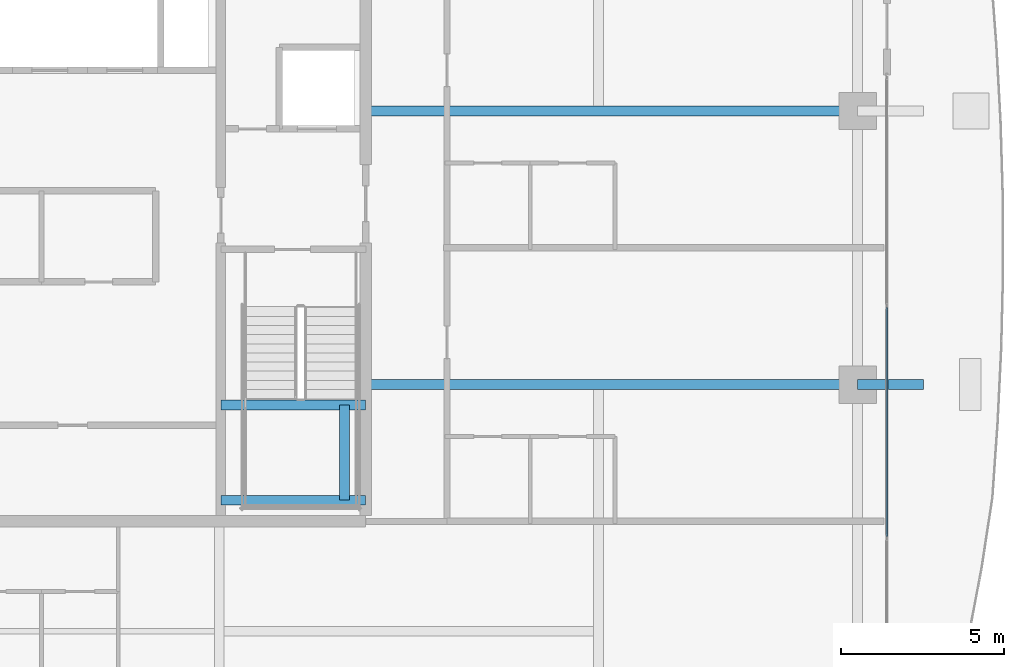
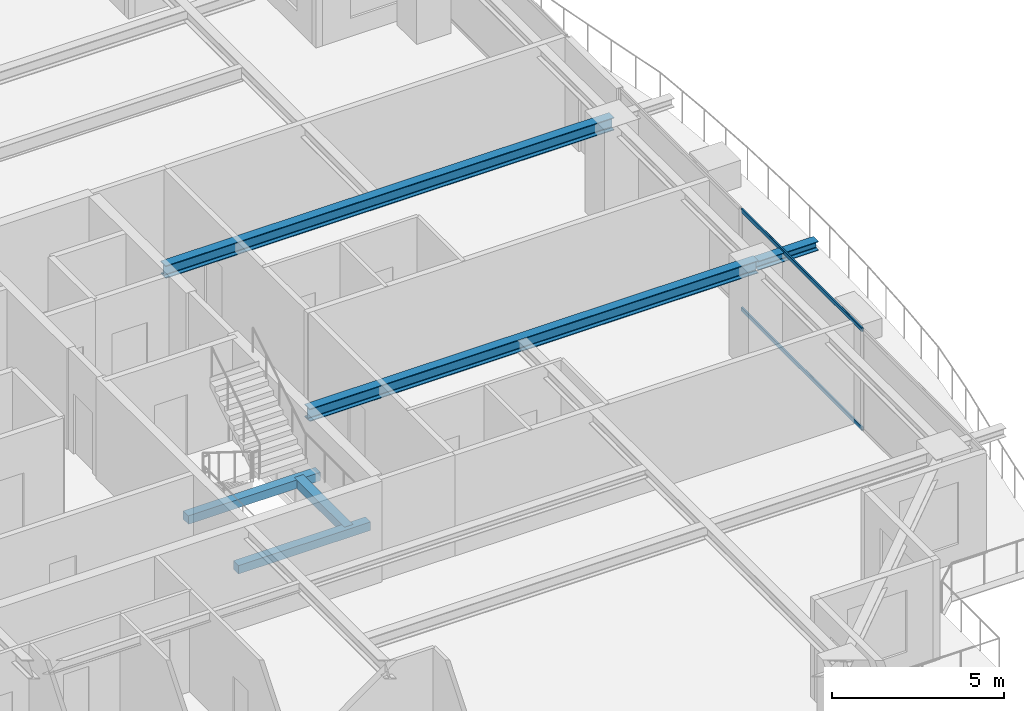
# One storey, part 14 of 38: 6 beams, 2 members, 1 element without a shape of its own.
"""IFC4 building model written with IfcOpenShell, lengths in metres."""

from ifc_helpers import new_model, si_unit, direction, frame, origin, origin_2d, place, context, subcontext, project, spatial, rectangle, hollow_rectangle, i_section, extrude, source, transform, mapped, material, layer, layer_set, material_profile, profile_set, type_object, element, aggregate, save


model = new_model("IFC4")

# Units and contexts
model_context = context("Model", 3, precision=1e-05, world=origin(), true_north=direction((0.0, 1.0)))
body_context = subcontext(model_context, "Body", "Model", "MODEL_VIEW")
ifc_project = project(units=[si_unit("LENGTHUNIT", "METRE"), si_unit("AREAUNIT", "SQUARE_METRE"), si_unit("VOLUMEUNIT", "CUBIC_METRE"), si_unit("PLANEANGLEUNIT", "RADIAN"), si_unit("MASSUNIT", "GRAM", prefix="KILO")], contexts=[model_context])

# Site, building, storey
site_placement = place(None, origin())
site = spatial("IfcSite", under=ifc_project, at=site_placement, CompositionType="ELEMENT")
building_placement = place(site_placement, origin())
building = spatial("IfcBuilding", under=site, at=building_placement, Name="Serunith Strait Residences", CompositionType="ELEMENT")
storey_placement = place(building_placement, frame((0.0, 0.0, 264.35009765625)))
storey = spatial("IfcBuildingStorey", under=building, at=storey_placement, Name="L66", CompositionType="ELEMENT", Elevation=264.35009765625)

# Beams
ifc_material_1 = material(Name="Steel S355J2", Category="steel")
ifc_material_profile_1 = material_profile(ifc_material_1, i_section(OverallWidth=0.300048828125, OverallDepth=0.449951171875, WebThickness=0.013916015625, FlangeThickness=0.02587890625, FilletRadius=0.027099609375, at=origin_2d()), Name="HEB 450")
ifc_profile_set_1 = profile_set([ifc_material_profile_1], Name="Steel S355J2")
beam_type_1 = type_object("IfcBeamType", Name="BM-HEB450", PredefinedType="BEAM", material=ifc_profile_set_1)
shared_shape_1 = source(origin(), body_context, "Body", "SweptSolid", [
    extrude(i_section(OverallWidth=0.300048828125, OverallDepth=0.449951171875, WebThickness=0.013916015625, FlangeThickness=0.02587890625, FilletRadius=0.027099609375, at=origin_2d()), origin(), (0.0, 0.0, 1.0), 15.10009765625),
])
for number, where, z_axis, x_axis, name in (
    (1, (41.39990234375, 21.0, 3.36181640625), (1.0, 0.0, 0.0), (0.0, 1.0, 0.0), "L66 Primary Floor Girder TC-E2"),
    (2, (41.39990234375, 29.39990234375, 3.36181640625), (1.0, 0.0, 0.0), (0.0, 1.0, 0.0), "L66 Primary Floor Girder TC-E3"),
):
    element("IfcBeam", number, at=place(storey_placement, frame(where, z_axis=z_axis, x_axis=x_axis)), inside=storey, type_object=beam_type_1, Name=name, PredefinedType="BEAM", context=body_context, shape_type="MappedRepresentation", body=[
        mapped(shared_shape_1, transform((0.0, 0.0, 0.0), scale=1.0)),
    ])
ifc_material_profile_2 = material_profile(ifc_material_1, i_section(OverallWidth=0.300048828125, OverallDepth=0.320068359375, WebThickness=0.011474609375, FlangeThickness=0.0205078125, FilletRadius=0.027099609375, at=origin_2d()), Name="HEB 320")
ifc_profile_set_2 = profile_set([ifc_material_profile_2], Name="Steel S355J2")
beam_type_2 = type_object("IfcBeamType", Name="BM-HEB320", PredefinedType="BEAM", material=ifc_profile_set_2)
shared_shape_2 = source(origin(), body_context, "Body", "SweptSolid", [
    extrude(i_section(OverallWidth=0.300048828125, OverallDepth=0.320068359375, WebThickness=0.011474609375, FlangeThickness=0.0205078125, FilletRadius=0.027099609375, at=origin_2d()), origin(), (0.0, 0.0, 1.0), 2.030029296875),
])
beam_1_placement = place(storey_placement, frame((56.5, 21.0, 3.39697265625), z_axis=(1.0, 0.0, 0.0), x_axis=(0.0, 1.0, 0.0)))
element("IfcBeam", 3, at=beam_1_placement, inside=storey, type_object=beam_type_2, Name="L67 Cantilevered Balcony Rib TC-E2", PredefinedType="BEAM", context=body_context, shape_type="MappedRepresentation", body=[
    mapped(shared_shape_2, transform((0.0, 0.0, 0.0), scale=1.0)),
])
ifc_material_2 = material(Name="Concrete C60/75", Category="concrete")
ifc_material_profile_3 = material_profile(ifc_material_2, rectangle(XDim=0.300048828125, YDim=0.300048828125, at=origin_2d()), Name="RC 300x300")
ifc_profile_set_3 = profile_set([ifc_material_profile_3], Name="Concrete C60/75")
beam_type_3 = type_object("IfcBeamType", Name="BM-LAND-300x300", PredefinedType="BEAM", material=ifc_profile_set_3)
shared_shape_3 = source(origin(), body_context, "Body", "SweptSolid", [
    extrude(rectangle(XDim=0.300048828125, YDim=0.300048828125, at=origin_2d()), origin(), (0.0, 0.0, 1.0), 4.449951171875),
])
for number, where, z_axis, x_axis, name in (
    (4, (36.949951171875, 17.449951171875, 1.574951171875), (1.0, 0.0, 0.0), (0.0, 1.0, 0.0), "L66 ST-2 Landing Support Beam 1"),
    (5, (36.949951171875, 20.3701171875, 1.574951171875), (1.0, 0.0, 0.0), (0.0, 1.0, 0.0), "L66 ST-2 Landing Support Beam 2"),
):
    element("IfcBeam", number, at=place(storey_placement, frame(where, z_axis=z_axis, x_axis=x_axis)), inside=storey, type_object=beam_type_3, Name=name, PredefinedType="BEAM", context=body_context, shape_type="MappedRepresentation", body=[
        mapped(shared_shape_3, transform((0.0, 0.0, 0.0), scale=1.0)),
    ])
shared_shape_4 = source(origin(), body_context, "Body", "SweptSolid", [
    extrude(rectangle(XDim=0.300048828125, YDim=0.300048828125, at=origin_2d()), origin(), (0.0, 0.0, 1.0), 2.920166015625),
])
beam_2_placement = place(storey_placement, frame((40.75, 17.449951171875, 1.574951171875), z_axis=(0.0, 1.0, 0.0), x_axis=(-1.0, 0.0, 0.0)))
element("IfcBeam", 6, at=beam_2_placement, inside=storey, type_object=beam_type_3, Name="L66 ST-2 Landing Transverse Tie Beam", PredefinedType="BEAM", context=body_context, shape_type="MappedRepresentation", body=[
    mapped(shared_shape_4, transform((0.0, 0.0, 0.0), scale=1.0)),
])

# Curtain wall, members
ifc_material_3 = material(Name="Pale-Champagne Anodised Aluminium", Category="aluminium")
ifc_layer = layer(ifc_material_3, 0.199951171875, Name="Pale-Champagne Anodised Aluminium")
ifc_layer_set = layer_set([ifc_layer], Name="Pale-Champagne Anodised Aluminium")
curtain_wall_type = type_object("IfcCurtainWallType", Name="CW-SYS4", PredefinedType="NOTDEFINED", material=ifc_layer_set)
curtain_wall_placement = place(storey_placement, origin())
curtain_wall = element("IfcCurtainWall", 7, at=curtain_wall_placement, inside=storey, type_object=curtain_wall_type, Name="L66 E Unitised Fritted Curtain Wall", PredefinedType="NOTDEFINED")
ifc_material_profile_4 = material_profile(ifc_material_3, hollow_rectangle(XDim=0.06005859375, YDim=0.139892578125, WallThickness=0.00341796875, InnerFilletRadius=0.00537109375, OuterFilletRadius=0.0087890625, at=origin_2d()), Name="ALU 140x60x3.5")
ifc_profile_set_4 = profile_set([ifc_material_profile_4], Name="Pale-Champagne Anodised Aluminium")
member_type = type_object("IfcMemberType", Name="CW-SYS4-TRAN", PredefinedType="USERDEFINED", material=ifc_profile_set_4)
shared_shape_5 = source(origin(), body_context, "Body", "SweptSolid", [
    extrude(hollow_rectangle(XDim=0.06005859375, YDim=0.139892578125, WallThickness=0.00341796875, InnerFilletRadius=0.00537109375, OuterFilletRadius=0.0087890625, at=origin_2d()), origin(), (0.0, 0.0, 1.0), 7.034912109375),
])
member_1_placement = place(storey_placement, frame((57.39990234375, 16.33251953125, 0.02978515625), z_axis=(0.0, 1.0, 0.0), x_axis=(-1.0, 0.0, 0.0)))
member_1 = element("IfcMember", 8, at=member_1_placement, type_object=member_type, Name="CW-4 transom 2.1", ObjectType="TRANSOM", PredefinedType="USERDEFINED", context=body_context, shape_type="MappedRepresentation", body=[
    mapped(shared_shape_5, transform((0.0, 0.0, 0.0), scale=1.0)),
])
member_2_placement = place(storey_placement, frame((57.39990234375, 16.33251953125, 3.544921875), z_axis=(0.0, 1.0, 0.0), x_axis=(-1.0, 0.0, 0.0)))
member_2 = element("IfcMember", 9, at=member_2_placement, type_object=member_type, Name="CW-4 transom 2.2", ObjectType="TRANSOM", PredefinedType="USERDEFINED", context=body_context, shape_type="MappedRepresentation", body=[
    mapped(shared_shape_5, transform((0.0, 0.0, 0.0), scale=1.0)),
])
aggregate(curtain_wall, [member_1, member_2])

save(model, "model.ifc")
